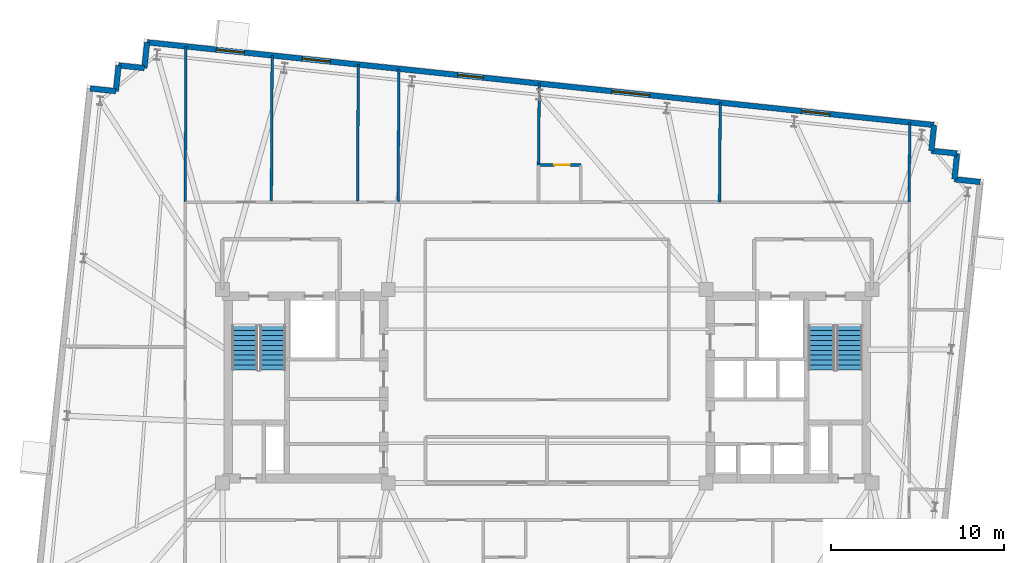
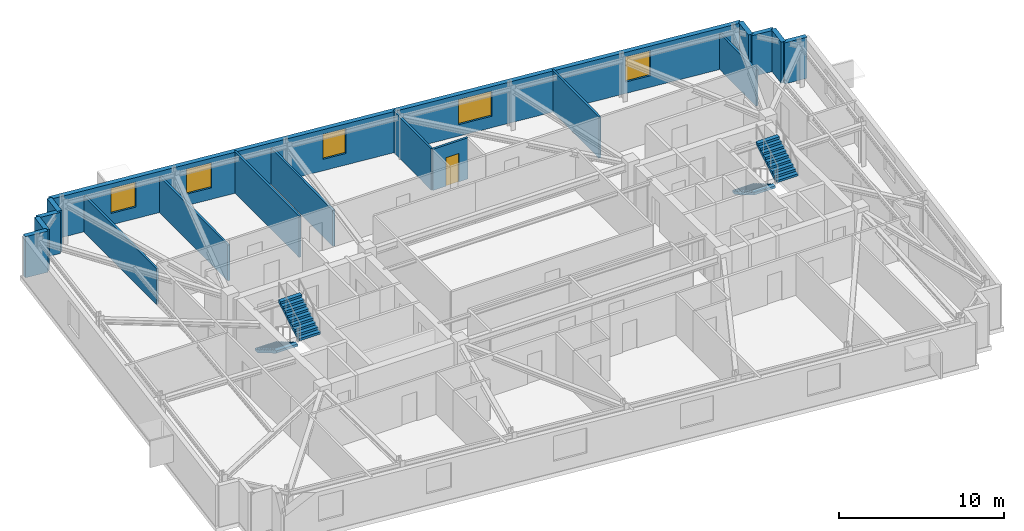
# One storey, part 9 of 11: 17 walls, 5 windows, 4 stair flights, 1 door, 6 openings, 2 elements without a shape of their own.
"""IFC4 building model written with IfcOpenShell, lengths in metres."""

from ifc_helpers import new_model, si_unit, direction, frame, frame_2d, origin, place, context, subcontext, project, spatial, polyline, rectangle, outline, extrude, material, layer, layer_set, type_object, element, fill, aggregate, save


model = new_model("IFC4")

# Units and contexts
model_context = context("Model", 3, precision=1e-05, world=origin(), true_north=direction((0.0, 1.0)))
body_context = subcontext(model_context, "Body", "Model", "MODEL_VIEW")
ifc_project = project(units=[si_unit("LENGTHUNIT", "METRE"), si_unit("AREAUNIT", "SQUARE_METRE"), si_unit("VOLUMEUNIT", "CUBIC_METRE"), si_unit("PLANEANGLEUNIT", "RADIAN"), si_unit("MASSUNIT", "GRAM", prefix="KILO")], contexts=[model_context])

# Site, building, storey
site_placement = place(None, origin())
site = spatial("IfcSite", under=ifc_project, at=site_placement, CompositionType="ELEMENT")
building_placement = place(site_placement, origin())
building = spatial("IfcBuilding", under=site, at=building_placement, Name="Qobustan Lattice House", CompositionType="ELEMENT")
storey_placement = place(building_placement, frame((0.0, 0.0, 193.050048828125)))
storey = spatial("IfcBuildingStorey", under=building, at=storey_placement, Name="L54", CompositionType="ELEMENT", Elevation=193.050048828125)

# Walls
ifc_material_1 = material(Name="Precast concrete C40/50", Category="concrete")
ifc_layer_1 = layer(ifc_material_1, 0.320068359375)
ifc_layer_set_1 = layer_set([ifc_layer_1], Name="Precast concrete C40/50")
wall_type_1 = type_object("IfcWallType", Name="WAL-EXT-STONE-320", PredefinedType="SOLIDWALL", material=ifc_layer_set_1)
wall_1_placement = place(storey_placement, frame((-26.452880859375, 17.228515625, 0.0), z_axis=(0.0, 0.0, 1.0), x_axis=(0.994508128223, -0.104659366031, 0.0)))
element("IfcWall", 1, at=wall_1_placement, inside=storey, type_object=wall_type_1, Name="L54 exterior limestone-clad wall 6", PredefinedType="SOLIDWALL", context=body_context, shape_type="SweptSolid", body=[
    extrude(rectangle(XDim=1.5, YDim=0.320068359375, at=frame_2d((0.75, 0.0))), origin(), (0.0, 0.0, 1.0), 3.0400390625),
])
wall_2_placement = place(storey_placement, frame((-24.961181640625, 17.071533203125, 0.0), z_axis=(0.0, 0.0, 1.0), x_axis=(0.104642427191, 0.994509910675, 0.0)))
element("IfcWall", 2, at=wall_2_placement, inside=storey, type_object=wall_type_1, Name="L54 exterior limestone-clad wall 7", PredefinedType="SOLIDWALL", context=body_context, shape_type="SweptSolid", body=[
    extrude(rectangle(XDim=1.500244140625, YDim=0.320068359375, at=frame_2d((0.75, 0.0))), origin(), (0.0, 0.0, 1.0), 3.0400390625),
])
wall_3_placement = place(storey_placement, frame((-24.80419921875, 18.5634765625, 0.0), z_axis=(0.0, 0.0, 1.0), x_axis=(0.994508128223, -0.104659366031, 0.0)))
element("IfcWall", 3, at=wall_3_placement, inside=storey, type_object=wall_type_1, Name="L54 exterior limestone-clad wall 8", PredefinedType="SOLIDWALL", context=body_context, shape_type="SweptSolid", body=[
    extrude(rectangle(XDim=1.5, YDim=0.320068359375, at=frame_2d((0.75, 0.0))), origin(), (0.0, 0.0, 1.0), 3.0400390625),
])
wall_4_placement = place(storey_placement, frame((-23.3125, 18.406494140625, 0.0), z_axis=(0.0, 0.0, 1.0), x_axis=(0.104481464157, 0.994526834051, 0.0)))
element("IfcWall", 4, at=wall_4_placement, inside=storey, type_object=wall_type_1, Name="L54 exterior limestone-clad wall 9", PredefinedType="SOLIDWALL", context=body_context, shape_type="SweptSolid", body=[
    extrude(rectangle(XDim=1.500244140625, YDim=0.320068359375, at=frame_2d((0.75, 0.0))), origin(), (0.0, 0.0, 1.0), 3.0400390625),
])

# Wall, openings, windows
wall_5_placement = place(storey_placement, frame((-23.15576171875, 19.8984375, 0.0), z_axis=(0.0, 0.0, 1.0), x_axis=(0.994522001802, -0.104527450613, 0.0)))
wall_5 = element("IfcWall", 5, at=wall_5_placement, inside=storey, type_object=wall_type_1, Name="L54 exterior limestone-clad wall 10", PredefinedType="SOLIDWALL", context=body_context, shape_type="SweptSolid", body=[
    extrude(rectangle(XDim=45.800048828125, YDim=0.320068359375, at=frame_2d((22.89990234375, 0.0))), origin(), (0.0, 0.0, 1.0), 3.0400390625),
])
opening_1_placement = place(wall_5_placement, frame((4.019287109375, 0.0, 0.85009765625)))
opening_1 = element("IfcOpeningElement", 6, at=opening_1_placement, cuts=wall_5, Name="Opening WN-09", PredefinedType="OPENING", context=body_context, shape_type="SweptSolid", body=[
    extrude(rectangle(XDim=1.64990234375, YDim=1.85009765625, at=frame_2d((0.824951171875, 0.925048828125))), frame((0.0, 0.169921875, 0.0), z_axis=(0.0, -1.0, 0.0), x_axis=(1.0, 0.0, 0.0)), (0.0, 0.0, 1.0), 0.340087890625),
])
opening_2_placement = place(wall_5_placement, frame((9.023681640625, 0.0, 0.85009765625)))
opening_2 = element("IfcOpeningElement", 7, at=opening_2_placement, cuts=wall_5, Name="Opening WN-09", PredefinedType="OPENING", context=body_context, shape_type="SweptSolid", body=[
    extrude(rectangle(XDim=1.64990234375, YDim=1.85009765625, at=frame_2d((0.824951171875, 0.925048828125))), frame((0.0, 0.169921875, 0.0), z_axis=(0.0, -1.0, 0.0), x_axis=(1.0, 0.0, 0.0)), (0.0, 0.0, 1.0), 0.340087890625),
])
opening_3_placement = place(wall_5_placement, frame((18.06640625, 0.0, 0.85009765625)))
opening_3 = element("IfcOpeningElement", 8, at=opening_3_placement, cuts=wall_5, Name="Opening WN-01", PredefinedType="OPENING", context=body_context, shape_type="SweptSolid", body=[
    extrude(rectangle(XDim=1.5, YDim=1.85009765625, at=frame_2d((0.75, 0.925048828125))), frame((0.0, 0.169921875, 0.0), z_axis=(0.0, -1.0, 0.0), x_axis=(1.0, 0.0, 0.0)), (0.0, 0.0, 1.0), 0.340087890625),
])
opening_4_placement = place(wall_5_placement, frame((27.044677734375, 0.0, 0.85009765625)))
opening_4 = element("IfcOpeningElement", 9, at=opening_4_placement, cuts=wall_5, Name="Opening WN-03", PredefinedType="OPENING", context=body_context, shape_type="SweptSolid", body=[
    extrude(rectangle(XDim=2.199951171875, YDim=1.85009765625, at=frame_2d((1.10009765625, 0.925048828125))), frame((0.0, 0.169921875, 0.0), z_axis=(0.0, -1.0, 0.0), x_axis=(1.0, 0.0, 0.0)), (0.0, 0.0, 1.0), 0.340087890625),
])
opening_5_placement = place(wall_5_placement, frame((38.089111328125, 0.0, 0.85009765625)))
opening_5 = element("IfcOpeningElement", 10, at=opening_5_placement, cuts=wall_5, Name="Opening WN-09", PredefinedType="OPENING", context=body_context, shape_type="SweptSolid", body=[
    extrude(rectangle(XDim=1.64990234375, YDim=1.85009765625, at=frame_2d((0.824951171875, 0.925048828125))), frame((0.0, 0.169921875, 0.0), z_axis=(0.0, -1.0, 0.0), x_axis=(1.0, 0.0, 0.0)), (0.0, 0.0, 1.0), 0.340087890625),
])
ifc_material_2 = material(Name="Double-glazed low-E aluminium window", Category="aluminium")
window_type_1 = type_object("IfcWindowType", Name="WIN-BED-1500x1850", PartitioningType="SINGLE_PANEL", PredefinedType="WINDOW", material=ifc_material_2)
window_1_placement = place(opening_3_placement, origin())
window_1 = element("IfcWindow", 11, at=window_1_placement, inside=storey, type_object=window_type_1, Name="L54 Laundry utility room window", OverallHeight=1.85009765625, OverallWidth=1.5, PartitioningType="SINGLE_PANEL", PredefinedType="WINDOW", context=body_context, shape_type="SweptSolid", body=[
    extrude(rectangle(XDim=1.5, YDim=1.85009765625, at=frame_2d((0.75, 0.925048828125))), frame((0.0, 0.030029296875, 0.0), z_axis=(0.0, -1.0, 0.0), x_axis=(1.0, 0.0, 0.0)), (0.0, 0.0, 1.0), 0.06005859375),
])
fill(opening_3, window_1)
ifc_material_3 = material(Name="Double-glazed low-E aluminium window", Category="aluminium")
window_type_2 = type_object("IfcWindowType", Name="WIN-STU-1650x1850", PartitioningType="SINGLE_PANEL", PredefinedType="WINDOW", material=ifc_material_3)
window_2_placement = place(opening_1_placement, origin())
window_2 = element("IfcWindow", 12, at=window_2_placement, inside=storey, type_object=window_type_2, Name="L54 Focus study room N1A window", OverallHeight=1.85009765625, OverallWidth=1.64990234375, PartitioningType="SINGLE_PANEL", PredefinedType="WINDOW", context=body_context, shape_type="SweptSolid", body=[
    extrude(rectangle(XDim=1.64990234375, YDim=1.85009765625, at=frame_2d((0.824951171875, 0.925048828125))), frame((0.0, 0.030029296875, 0.0), z_axis=(0.0, -1.0, 0.0), x_axis=(1.0, 0.0, 0.0)), (0.0, 0.0, 1.0), 0.06005859375),
])
fill(opening_1, window_2)
window_3_placement = place(opening_2_placement, origin())
window_3 = element("IfcWindow", 13, at=window_3_placement, inside=storey, type_object=window_type_2, Name="L54 Focus study room N1B window", OverallHeight=1.85009765625, OverallWidth=1.64990234375, PartitioningType="SINGLE_PANEL", PredefinedType="WINDOW", context=body_context, shape_type="SweptSolid", body=[
    extrude(rectangle(XDim=1.64990234375, YDim=1.85009765625, at=frame_2d((0.824951171875, 0.925048828125))), frame((0.0, 0.030029296875, 0.0), z_axis=(0.0, -1.0, 0.0), x_axis=(1.0, 0.0, 0.0)), (0.0, 0.0, 1.0), 0.06005859375),
])
fill(opening_2, window_3)
window_4_placement = place(opening_5_placement, origin())
window_4 = element("IfcWindow", 14, at=window_4_placement, inside=storey, type_object=window_type_2, Name="L54 Focus study room N4 window", OverallHeight=1.85009765625, OverallWidth=1.64990234375, PartitioningType="SINGLE_PANEL", PredefinedType="WINDOW", context=body_context, shape_type="SweptSolid", body=[
    extrude(rectangle(XDim=1.64990234375, YDim=1.85009765625, at=frame_2d((0.824951171875, 0.925048828125))), frame((0.0, 0.030029296875, 0.0), z_axis=(0.0, -1.0, 0.0), x_axis=(1.0, 0.0, 0.0)), (0.0, 0.0, 1.0), 0.06005859375),
])
fill(opening_5, window_4)
ifc_material_4 = material(Name="Double-glazed low-E aluminium window", Category="aluminium")
window_type_3 = type_object("IfcWindowType", Name="WIN-WIDE-2200x1850", PartitioningType="SINGLE_PANEL", PredefinedType="WINDOW", material=ifc_material_4)
window_5_placement = place(opening_4_placement, origin())
window_5 = element("IfcWindow", 15, at=window_5_placement, inside=storey, type_object=window_type_3, Name="L54 Kitchenette and studio apartment L54-N3 window", OverallHeight=1.85009765625, OverallWidth=2.199951171875, PartitioningType="SINGLE_PANEL", PredefinedType="WINDOW", context=body_context, shape_type="SweptSolid", body=[
    extrude(rectangle(XDim=2.199951171875, YDim=1.85009765625, at=frame_2d((1.10009765625, 0.925048828125))), frame((0.0, 0.030029296875, 0.0), z_axis=(0.0, -1.0, 0.0), x_axis=(1.0, 0.0, 0.0)), (0.0, 0.0, 1.0), 0.06005859375),
])
fill(opening_4, window_5)

# Walls
wall_6_placement = place(storey_placement, frame((22.393310546875, 15.111083984375, 0.0), z_axis=(0.0, 0.0, 1.0), x_axis=(-0.104481464157, -0.994526834051, 0.0)))
element("IfcWall", 16, at=wall_6_placement, inside=storey, type_object=wall_type_1, Name="L54 exterior limestone-clad wall 11", PredefinedType="SOLIDWALL", context=body_context, shape_type="SweptSolid", body=[
    extrude(rectangle(XDim=1.500244140625, YDim=0.320068359375, at=frame_2d((0.75, 0.0))), origin(), (0.0, 0.0, 1.0), 3.0400390625),
])
for number, where, z_axis, x_axis, name in (
    (17, (22.236572265625, 13.619140625, 0.0), (0.0, 0.0, 1.0), (0.994525057048, -0.104498377516, 0.0), "L54 exterior limestone-clad wall 12"),
    (18, (23.728271484375, 13.46240234375, 0.0), (0.0, 0.0, 1.0), (-0.104498377516, -0.994525057048, 0.0), "L54 exterior limestone-clad wall 13"),
    (19, (23.571533203125, 11.970703125, 0.0), (0.0, 0.0, 1.0), (0.994508128223, -0.104659366031, 0.0), "L54 exterior limestone-clad wall 14"),
):
    element("IfcWall", number, at=place(storey_placement, frame(where, z_axis=z_axis, x_axis=x_axis)), inside=storey, type_object=wall_type_1, Name=name, PredefinedType="SOLIDWALL", context=body_context, shape_type="SweptSolid", body=[
        extrude(rectangle(XDim=1.5, YDim=0.320068359375, at=frame_2d((0.75, 0.0))), origin(), (0.0, 0.0, 1.0), 3.0400390625),
    ])
ifc_material_5 = material(Name="Acoustic twin-stud gypsum partition", Category="gypsum")
ifc_layer_2 = layer(ifc_material_5, 0.14990234375)
ifc_layer_set_2 = layer_set([ifc_layer_2], Name="Acoustic twin-stud gypsum partition")
wall_type_2 = type_object("IfcWallType", Name="WAL-PART-150", PredefinedType="PARTITIONING", material=ifc_layer_set_2)
wall_7_placement = place(storey_placement, frame((-20.906005859375, 19.661865234375, 0.0), z_axis=(0.0, 0.0, 1.0), x_axis=(-0.004876272857, -0.999988110911, 0.0)))
element("IfcWall", 20, at=wall_7_placement, inside=storey, type_object=wall_type_2, Name="L54 interior partition 73", PredefinedType="PARTITIONING", context=body_context, shape_type="SweptSolid", body=[
    extrude(rectangle(XDim=9.011962890625, YDim=0.14990234375, at=frame_2d((4.505859375, 0.0))), origin(), (0.0, 0.0, 1.0), 2.6650390625),
])
wall_8_placement = place(storey_placement, frame((20.949951171875, 10.64990234375, 0.0), z_axis=(0.0, 0.0, 1.0), x_axis=(0.009535990233, 0.999954531411, 0.0)))
element("IfcWall", 21, at=wall_8_placement, inside=storey, type_object=wall_type_2, Name="L54 interior partition 77", PredefinedType="PARTITIONING", context=body_context, shape_type="SweptSolid", body=[
    extrude(rectangle(XDim=4.6083984375, YDim=0.14990234375, at=frame_2d((2.30419921875, 0.0))), origin(), (0.0, 0.0, 1.0), 2.6650390625),
])
wall_9_placement = place(storey_placement, frame((-15.918701171875, 19.1376953125, 0.0), z_axis=(0.0, 0.0, 1.0), x_axis=(-0.005148640266, -0.999986745664, 0.0)))
element("IfcWall", 22, at=wall_9_placement, inside=storey, type_object=wall_type_2, Name="L54 interior partition 78", PredefinedType="PARTITIONING", context=body_context, shape_type="SweptSolid", body=[
    extrude(rectangle(XDim=8.48779296875, YDim=0.14990234375, at=frame_2d((4.243896484375, 0.0))), origin(), (0.0, 0.0, 1.0), 2.6650390625),
])
wall_10_placement = place(storey_placement, frame((-0.4560546875, 17.5126953125, 0.0), z_axis=(0.0, 0.0, 1.0), x_axis=(-0.009324569991, -0.999956525252, 0.0)))
element("IfcWall", 23, at=wall_10_placement, inside=storey, type_object=wall_type_2, Name="L54 interior partition 81", PredefinedType="PARTITIONING", context=body_context, shape_type="SweptSolid", body=[
    extrude(rectangle(XDim=4.712890625, YDim=0.14990234375, at=frame_2d((2.3564453125, 0.0))), origin(), (0.0, 0.0, 1.0), 3.0400390625),
])
wall_11_placement = place(storey_placement, frame((10.018798828125, 16.41162109375, 0.0), z_axis=(0.0, 0.0, 1.0), x_axis=(-0.007584527603, -0.999971237057, 0.0)))
element("IfcWall", 24, at=wall_11_placement, inside=storey, type_object=wall_type_2, Name="L54 interior partition 85", PredefinedType="PARTITIONING", context=body_context, shape_type="SweptSolid", body=[
    extrude(rectangle(XDim=5.761962890625, YDim=0.14990234375, at=frame_2d((2.880859375, 0.0))), origin(), (0.0, 0.0, 1.0), 3.0400390625),
])
ifc_material_6 = material(Name="Moisture-resistant acoustic plumbing wall", Category="gypsum")
ifc_layer_3 = layer(ifc_material_6, 0.14990234375)
ifc_layer_set_3 = layer_set([ifc_layer_3], Name="Moisture-resistant acoustic plumbing wall")
wall_type_3 = type_object("IfcWallType", Name="WAL-WET-150", PredefinedType="PLUMBINGWALL", material=ifc_layer_set_3)
wall_12_placement = place(storey_placement, frame((-10.93115234375, 18.613525390625, 0.0), z_axis=(0.0, 0.0, 1.0), x_axis=(-0.005518172214, -0.999984774772, 0.0)))
element("IfcWall", 25, at=wall_12_placement, inside=storey, type_object=wall_type_3, Name="L54 interior partition 79", PredefinedType="PLUMBINGWALL", context=body_context, shape_type="SweptSolid", body=[
    extrude(rectangle(XDim=7.963623046875, YDim=0.14990234375, at=frame_2d((3.98193359375, 0.0))), origin(), (0.0, 0.0, 1.0), 3.0400390625),
])
wall_13_placement = place(storey_placement, frame((-8.5810546875, 18.366455078125, 0.0), z_axis=(0.0, 0.0, 1.0), x_axis=(-0.005694848646, -0.999983784218, 0.0)))
element("IfcWall", 26, at=wall_13_placement, inside=storey, type_object=wall_type_3, Name="L54 interior partition 80", PredefinedType="PLUMBINGWALL", context=body_context, shape_type="SweptSolid", body=[
    extrude(rectangle(XDim=7.716796875, YDim=0.14990234375, at=frame_2d((3.8583984375, 0.0))), origin(), (0.0, 0.0, 1.0), 2.6650390625),
])

# Wall, opening, door
wall_14_placement = place(storey_placement, frame((1.949951171875, 12.800048828125, 0.0), z_axis=(0.0, 0.0, 1.0), x_axis=(-1.0, 0.0, 0.0)))
wall_14 = element("IfcWall", 27, at=wall_14_placement, inside=storey, type_object=wall_type_3, Name="L54 interior partition 83", PredefinedType="PLUMBINGWALL", context=body_context, shape_type="SweptSolid", body=[
    extrude(rectangle(XDim=2.449951171875, YDim=0.14990234375, at=frame_2d((1.22509765625, 0.0))), origin(), (0.0, 0.0, 1.0), 3.0400390625),
])
opening_6_placement = place(wall_14_placement, frame((0.62890625, 0.0, 0.0)))
opening_6 = element("IfcOpeningElement", 28, at=opening_6_placement, cuts=wall_14, Name="Opening WD-01", PredefinedType="OPENING", context=body_context, shape_type="SweptSolid", body=[
    extrude(rectangle(XDim=0.89990234375, YDim=2.10009765625, at=frame_2d((0.449951171875, 1.050048828125))), frame((0.0, 0.0849609375, 0.0), z_axis=(0.0, -1.0, 0.0), x_axis=(1.0, 0.0, 0.0)), (0.0, 0.0, 1.0), 0.169921875),
])
ifc_material_7 = material(Name="Persian walnut timber and steel frame door", Category="steel")
door_type = type_object("IfcDoorType", Name="DOR-WET-900x2100", OperationType="NOTDEFINED", PredefinedType="DOOR", material=ifc_material_7)
door_placement = place(opening_6_placement, origin())
door = element("IfcDoor", 29, at=door_placement, inside=storey, type_object=door_type, Name="L54 Kitchenette and studio apartment L54-N3 to En-suite bathroom L54-N3 door", OperationType="SINGLE_SWING_LEFT", OverallHeight=2.10009765625, OverallWidth=0.89990234375, PredefinedType="DOOR", context=body_context, shape_type="SweptSolid", body=[
    extrude(rectangle(XDim=0.89990234375, YDim=2.10009765625, at=frame_2d((0.449951171875, 1.050048828125))), frame((0.0, 0.02490234375, 0.0), z_axis=(0.0, -1.0, 0.0), x_axis=(1.0, 0.0, 0.0)), (0.0, 0.0, 1.0), 0.050048828125),
])
fill(opening_6, door)

# Stair, stair flights
ifc_material_8 = material(Name="Concrete C40/50", Category="concrete")
stair_type = type_object("IfcStairType", Name="STR-CORE-DOGLEG", PredefinedType="HALF_TURN_STAIR", material=ifc_material_8)
stair_1_placement = place(storey_placement, origin())
stair_1 = element("IfcStair", 30, at=stair_1_placement, inside=storey, type_object=stair_type, Name="L54 West protected exit stair ST-W1", PredefinedType="HALF_TURN_STAIR")
ifc_material_9 = material(Name="Concrete C40/50", Category="concrete")
stair_flight_type = type_object("IfcStairFlightType", Name="SFL-RC-1500", PredefinedType="STRAIGHT", material=ifc_material_9)
stair_flight_1_placement = place(storey_placement, frame((-17.5, 3.5, 0.0), z_axis=(0.0, 0.0, 1.0), x_axis=(0.0, -1.0, 0.0)))
stair_flight_1 = element("IfcStairFlight", 31, at=stair_flight_1_placement, type_object=stair_flight_type, Name="ST-W1 flight 1", NumberOfRisers=10, NumberOfTreads=9, PredefinedType="STRAIGHT", RiserHeight=0.1675, TreadLength=0.285, context=body_context, shape_type="SweptSolid", body=[
    extrude(outline(polyline([(0.0, 0.0), (0.0, 0.16748046875), (0.284912109375, 0.16748046875), (0.284912109375, 0.3349609375), (0.570068359375, 0.3349609375), (0.570068359375, 0.50244140625), (0.85498046875, 0.50244140625), (0.85498046875, 0.669921875), (1.139892578125, 0.669921875), (1.139892578125, 0.83740234375), (1.425048828125, 0.83740234375), (1.425048828125, 1.0048828125), (1.7099609375, 1.0048828125), (1.7099609375, 1.172607421875), (1.9951171875, 1.172607421875), (1.9951171875, 1.340087890625), (2.280029296875, 1.340087890625), (2.280029296875, 1.507568359375), (2.56494140625, 1.507568359375), (2.56494140625, 1.675048828125), (2.56494140625, 1.333740234375), (0.2958984375, 0.0), (0.0, 0.0)])), frame((0.0, 0.75, 0.0), z_axis=(0.0, -1.0, 0.0), x_axis=(1.0, 0.0, 0.0)), (0.0, 0.0, 1.0), 1.5),
])
stair_flight_2_placement = place(storey_placement, frame((-15.8798828125, 0.93505859375, 1.675048828125), z_axis=(0.0, 0.0, 1.0), x_axis=(0.0, 1.0, 0.0)))
stair_flight_2 = element("IfcStairFlight", 32, at=stair_flight_2_placement, type_object=stair_flight_type, Name="ST-W1 flight 2", NumberOfRisers=10, NumberOfTreads=9, PredefinedType="STRAIGHT", RiserHeight=0.1675, TreadLength=0.285, context=body_context, shape_type="SweptSolid", body=[
    extrude(outline(polyline([(0.0, 0.0), (0.0, 0.16748046875), (0.284912109375, 0.16748046875), (0.284912109375, 0.3349609375), (0.570068359375, 0.3349609375), (0.570068359375, 0.50244140625), (0.85498046875, 0.50244140625), (0.85498046875, 0.669921875), (1.139892578125, 0.669921875), (1.139892578125, 0.83740234375), (1.425048828125, 0.83740234375), (1.425048828125, 1.0048828125), (1.7099609375, 1.0048828125), (1.7099609375, 1.172607421875), (1.9951171875, 1.172607421875), (1.9951171875, 1.340087890625), (2.280029296875, 1.340087890625), (2.280029296875, 1.507568359375), (2.56494140625, 1.507568359375), (2.56494140625, 1.675048828125), (2.56494140625, 1.333740234375), (0.2958984375, 0.0), (0.0, 0.0)])), frame((0.0, 0.75, 0.0), z_axis=(0.0, -1.0, 0.0), x_axis=(1.0, 0.0, 0.0)), (0.0, 0.0, 1.0), 1.5),
])
aggregate(stair_1, [stair_flight_1, stair_flight_2])

stair_2_placement = place(storey_placement, origin())
stair_2 = element("IfcStair", 33, at=stair_2_placement, inside=storey, type_object=stair_type, Name="L54 East protected exit stair ST-E1", PredefinedType="HALF_TURN_STAIR")
stair_flight_3_placement = place(storey_placement, frame((15.8798828125, 3.5, 0.0), z_axis=(0.0, 0.0, 1.0), x_axis=(0.0, -1.0, 0.0)))
stair_flight_3 = element("IfcStairFlight", 34, at=stair_flight_3_placement, type_object=stair_flight_type, Name="ST-E1 flight 1", NumberOfRisers=10, NumberOfTreads=9, PredefinedType="STRAIGHT", RiserHeight=0.1675, TreadLength=0.285, context=body_context, shape_type="SweptSolid", body=[
    extrude(outline(polyline([(0.0, 0.0), (0.0, 0.16748046875), (0.284912109375, 0.16748046875), (0.284912109375, 0.3349609375), (0.570068359375, 0.3349609375), (0.570068359375, 0.50244140625), (0.85498046875, 0.50244140625), (0.85498046875, 0.669921875), (1.139892578125, 0.669921875), (1.139892578125, 0.83740234375), (1.425048828125, 0.83740234375), (1.425048828125, 1.0048828125), (1.7099609375, 1.0048828125), (1.7099609375, 1.172607421875), (1.9951171875, 1.172607421875), (1.9951171875, 1.340087890625), (2.280029296875, 1.340087890625), (2.280029296875, 1.507568359375), (2.56494140625, 1.507568359375), (2.56494140625, 1.675048828125), (2.56494140625, 1.333740234375), (0.2958984375, 0.0), (0.0, 0.0)])), frame((0.0, 0.75, 0.0), z_axis=(0.0, -1.0, 0.0), x_axis=(1.0, 0.0, 0.0)), (0.0, 0.0, 1.0), 1.5),
])
stair_flight_4_placement = place(storey_placement, frame((17.5, 0.93505859375, 1.675048828125), z_axis=(0.0, 0.0, 1.0), x_axis=(0.0, 1.0, 0.0)))
stair_flight_4 = element("IfcStairFlight", 35, at=stair_flight_4_placement, type_object=stair_flight_type, Name="ST-E1 flight 2", NumberOfRisers=10, NumberOfTreads=9, PredefinedType="STRAIGHT", RiserHeight=0.1675, TreadLength=0.285, context=body_context, shape_type="SweptSolid", body=[
    extrude(outline(polyline([(0.0, 0.0), (0.0, 0.16748046875), (0.284912109375, 0.16748046875), (0.284912109375, 0.3349609375), (0.570068359375, 0.3349609375), (0.570068359375, 0.50244140625), (0.85498046875, 0.50244140625), (0.85498046875, 0.669921875), (1.139892578125, 0.669921875), (1.139892578125, 0.83740234375), (1.425048828125, 0.83740234375), (1.425048828125, 1.0048828125), (1.7099609375, 1.0048828125), (1.7099609375, 1.172607421875), (1.9951171875, 1.172607421875), (1.9951171875, 1.340087890625), (2.280029296875, 1.340087890625), (2.280029296875, 1.507568359375), (2.56494140625, 1.507568359375), (2.56494140625, 1.675048828125), (2.56494140625, 1.333740234375), (0.2958984375, 0.0), (0.0, 0.0)])), frame((0.0, 0.75, 0.0), z_axis=(0.0, -1.0, 0.0), x_axis=(1.0, 0.0, 0.0)), (0.0, 0.0, 1.0), 1.5),
])
aggregate(stair_2, [stair_flight_3, stair_flight_4])

save(model, "model.ifc")
